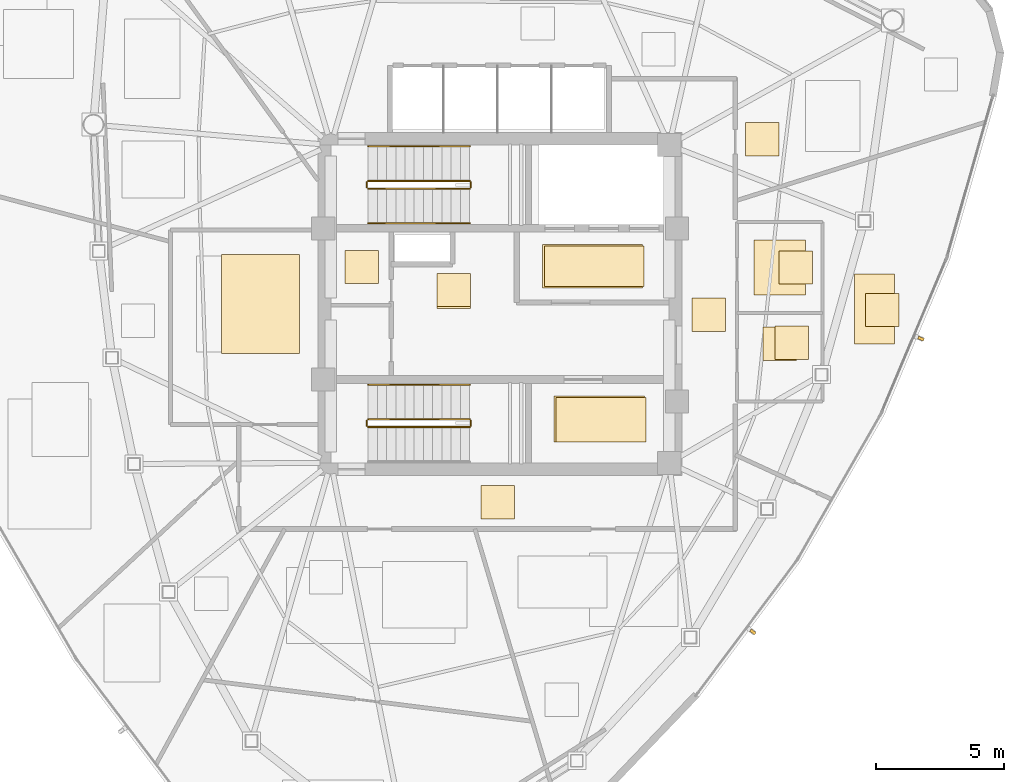
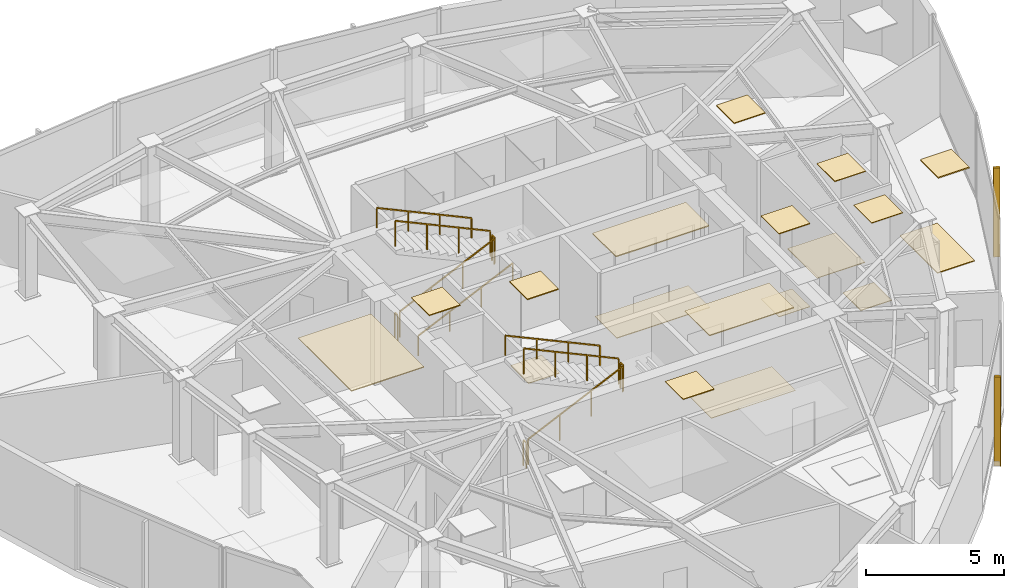
# One storey, part 11 of 12: 18 coverings, 11 railings, 2 shading devices.
"""IFC4 building model written with IfcOpenShell, lengths in metres."""

import ifcopenshell
import ifcopenshell.guid

model = None  # the IFC model being written
_history = None  # IfcOwnerHistory: only IFC2X3 demands one
_inside = {}  # id of a spatial element -> (the spatial element, [elements in it])
_under = {}  # id of a project, library or spatial element -> (it, [spatial elements below it])
_declared = {}  # id of a project -> (the project, [libraries it declares])
_typed = {}  # id of a type object -> (the type object, [elements of that type])
_made_of = {}  # id of a material, layer set ... -> (it, [elements and type objects made of it])


def new_model(schema):
    """Start an empty IFC model of exactly this schema.

    Asked for "IFC4X3", IfcOpenShell would pick the latest addendum, in which some entities
    have other attributes; the version numbers below select the first issue.
    IFC2X3 requires an IfcOwnerHistory on every rooted entity: one is made here for all.
    """
    global model, _history
    if schema == "IFC4X3":
        model = ifcopenshell.file(schema_version=(4, 3, 0, 0))
    else:
        model = ifcopenshell.file(schema=schema)
    _inside.clear()
    _under.clear()
    _declared.clear()
    _typed.clear()
    _made_of.clear()
    _history = None
    if model.schema == "IFC2X3":
        org = make("IfcOrganization", Name="unknown")
        user = make(
            "IfcPersonAndOrganization",
            ThePerson=make("IfcPerson", FamilyName="unknown"),
            TheOrganization=org,
        )
        app = make(
            "IfcApplication",
            ApplicationDeveloper=org,
            Version="unknown",
            ApplicationFullName="unknown",
            ApplicationIdentifier="unknown",
        )
        _history = make(
            "IfcOwnerHistory",
            OwningUser=user,
            OwningApplication=app,
            ChangeAction="ADDED",
            CreationDate=0,
        )
    return model


def make(cls, **values):
    """One entity of the class cls with the attributes given. An attribute that is None is left unset."""
    return model.create_entity(
        cls, **{name: value for name, value in values.items() if value is not None}
    )


def rooted(cls, **values):
    """An entity with a GlobalId (a new one), such as an element, a storey or a relation."""
    return make(cls, GlobalId=ifcopenshell.guid.new(), OwnerHistory=_history, **values)


def si_unit(unit_type, name, prefix=None):
    """IfcSIUnit, for example si_unit("LENGTHUNIT", "METRE", prefix="MILLI")."""
    return make("IfcSIUnit", UnitType=unit_type, Prefix=prefix, Name=name)


def assignment(units):
    """IfcUnitAssignment: the units of a project."""
    return None if units is None else make("IfcUnitAssignment", Units=units)


def point(xyz):
    """IfcCartesianPoint."""
    return None if xyz is None else make("IfcCartesianPoint", Coordinates=xyz)


def direction(xyz):
    """IfcDirection."""
    return None if xyz is None else make("IfcDirection", DirectionRatios=xyz)


def frame(location, z_axis=None, x_axis=None):
    """IfcAxis2Placement3D, a coordinate frame: its origin and axes. An axis left out is left unset."""
    return make(
        "IfcAxis2Placement3D",
        Location=point(location),
        Axis=direction(z_axis),
        RefDirection=direction(x_axis),
    )


def frame_2d(location, x_axis=None):
    """IfcAxis2Placement2D, a coordinate frame in the plane: its origin and x axis."""
    return make(
        "IfcAxis2Placement2D", Location=point(location), RefDirection=direction(x_axis)
    )


def origin():
    """The frame at (0, 0, 0) with its axes left unset."""
    return frame((0.0, 0.0, 0.0))


def origin_2d():
    """The frame at (0, 0) in the plane with its x axis left unset."""
    return frame_2d((0.0, 0.0))


def place(relative_to, where):
    """IfcLocalPlacement: puts the frame where relative to a parent placement (None: the world)."""
    return make(
        "IfcLocalPlacement", PlacementRelTo=relative_to, RelativePlacement=where
    )


def context(
    kind, dimensions, precision=None, world=None, true_north=None, identifier=None
):
    """IfcGeometricRepresentationContext, for example the 3D "Model" context."""
    return make(
        "IfcGeometricRepresentationContext",
        ContextIdentifier=identifier,
        ContextType=kind,
        CoordinateSpaceDimension=dimensions,
        Precision=precision,
        WorldCoordinateSystem=world,
        TrueNorth=true_north,
    )


def subcontext(parent, identifier, kind, view, scale=None):
    """IfcGeometricRepresentationSubContext, for example "Body" below "Model"."""
    return make(
        "IfcGeometricRepresentationSubContext",
        ContextIdentifier=identifier,
        ContextType=kind,
        ParentContext=parent,
        TargetScale=scale,
        TargetView=view,
    )


def project(units=None, contexts=None):
    """IfcProject with its units and contexts."""
    return rooted(
        "IfcProject",
        Name="project",
        RepresentationContexts=contexts,
        UnitsInContext=assignment(units),
    )


def spatial(cls, under=None, at=None, **own):
    """A site, building, storey or space (cls), placed at a placement, below another one or the project."""
    s = rooted(cls, ObjectPlacement=at, **own)
    if under is not None:
        _under.setdefault(under.id(), (under, []))[1].append(s)
    return s


def polyline(points):
    """IfcPolyline through the points."""
    return make("IfcPolyline", Points=[point(p) for p in points])


def profile(cls, at=None, kind="AREA", **sizes):
    """A parametric profile (cls). Its sizes go by their IFC names, for example OverallWidth=200.0."""
    return make(cls, ProfileType=kind, Position=at, **sizes)


def rectangle(**sizes):
    """IfcRectangleProfileDef."""
    return profile("IfcRectangleProfileDef", **sizes)


def outline(outer, holes=None, kind="AREA"):
    """IfcArbitraryClosedProfileDef: a profile drawn as a closed curve; with holes, ...WithVoids."""
    if holes is None:
        return make("IfcArbitraryClosedProfileDef", ProfileType=kind, OuterCurve=outer)
    return make(
        "IfcArbitraryProfileDefWithVoids",
        ProfileType=kind,
        OuterCurve=outer,
        InnerCurves=holes,
    )


def extrude(swept, where, along, depth):
    """IfcExtrudedAreaSolid: the profile swept, set in the frame where, extruded along a direction by depth."""
    return make(
        "IfcExtrudedAreaSolid",
        SweptArea=swept,
        Position=where,
        ExtrudedDirection=direction(along),
        Depth=depth,
    )


def shape(context_of_items, identifier, shape_type, items):
    """IfcShapeRepresentation: the items that make up one representation, for example the "Body"."""
    return make(
        "IfcShapeRepresentation",
        ContextOfItems=context_of_items,
        RepresentationIdentifier=identifier,
        RepresentationType=shape_type,
        Items=items,
    )


def source(mapping_origin, context_of_items, identifier, shape_type, items):
    """IfcRepresentationMap: a shape defined once, which mapped items show again and again."""
    return make(
        "IfcRepresentationMap",
        MappingOrigin=mapping_origin,
        MappedRepresentation=shape(context_of_items, identifier, shape_type, items),
    )


def transform(
    local_origin,
    x_axis=None,
    y_axis=None,
    z_axis=None,
    scale=None,
    scale2=None,
    scale3=None,
    uniform=True,
):
    """IfcCartesianTransformationOperator3D, or its non-uniform kind. x_axis, y_axis, z_axis: its Axis1, 2, 3."""
    if uniform:
        return make(
            "IfcCartesianTransformationOperator3D",
            Axis1=direction(x_axis),
            Axis2=direction(y_axis),
            LocalOrigin=point(local_origin),
            Scale=scale,
            Axis3=direction(z_axis),
        )
    return make(
        "IfcCartesianTransformationOperator3DnonUniform",
        Axis1=direction(x_axis),
        Axis2=direction(y_axis),
        LocalOrigin=point(local_origin),
        Scale=scale,
        Axis3=direction(z_axis),
        Scale2=scale2,
        Scale3=scale3,
    )


def mapped(mapping_source, mapping_target):
    """IfcMappedItem: shows the shape of a source again, moved by a transform."""
    return make(
        "IfcMappedItem", MappingSource=mapping_source, MappingTarget=mapping_target
    )


def material(Name=None, Category=None):
    """IfcMaterial."""
    return make("IfcMaterial", Name=Name, Category=Category)


def layer(
    of_material, thickness, ventilated=None, Name=None, Category=None, Priority=None
):
    """IfcMaterialLayer: one layer of a wall or slab, of a material (None: an air gap)."""
    return make(
        "IfcMaterialLayer",
        Material=of_material,
        LayerThickness=thickness,
        IsVentilated=ventilated,
        Name=Name,
        Category=Category,
        Priority=Priority,
    )


def layer_set(layers, Name=None):
    """IfcMaterialLayerSet."""
    return make("IfcMaterialLayerSet", MaterialLayers=layers, LayerSetName=Name)


def made_of(thing, what):
    """Note that an element or type object is made of a material, layer set ...; save() writes the relation."""
    if what is not None:
        _made_of.setdefault(what.id(), (what, []))[1].append(thing)
    return thing


def type_object(cls, material=None, **own):
    """A type object (cls), such as IfcWallType, which elements share."""
    return made_of(rooted(cls, **own), material)


def type_shapes(of_type, sources):
    """Give a type object the sources (RepresentationMaps) that its elements show as mapped items."""
    of_type.RepresentationMaps = sources


def element(
    cls,
    number,
    at=None,
    inside=None,
    cuts=None,
    type_object=None,
    material=None,
    context=None,
    identifier="Body",
    shape_type=None,
    held_by="IfcProductDefinitionShape",
    body=None,
    shapes=None,
    **own,
):
    """One element of the class cls, such as IfcWall. Its Tag is "e" and its number.

    at: its placement. inside: the storey or other place that contains it. cuts: it is an
    opening in that element (IfcRelVoidsElement). A single representation is given by context,
    identifier, shape_type and body (its items); several are given by shapes. held_by: the class
    of the entity that holds the representations. save() writes the other relations.
    """
    e = rooted(cls, Tag="e%d" % number, ObjectPlacement=at, **own)
    if body is not None:
        shapes = [shape(context, identifier, shape_type, body)]
    if shapes is not None:
        e.Representation = make(held_by, Representations=shapes)
    if inside is not None:
        _inside.setdefault(inside.id(), (inside, []))[1].append(e)
    if cuts is not None:
        rooted(
            "IfcRelVoidsElement", RelatingBuildingElement=cuts, RelatedOpeningElement=e
        )
    if type_object is not None:
        _typed.setdefault(type_object.id(), (type_object, []))[1].append(e)
    return made_of(e, material)


def aggregate(whole, parts):
    """IfcRelAggregates: a whole, such as a stair, and the parts it consists of."""
    return rooted("IfcRelAggregates", RelatingObject=whole, RelatedObjects=parts)


def save(model, path):
    """Write the relations noted so far, then the file.

    IfcRelAggregates (storeys below a building ...), IfcRelContainedInSpatialStructure (elements
    in a storey), IfcRelDefinesByType, IfcRelAssociatesMaterial and IfcRelDeclares: one each for
    every whole, place, type object, material and project.
    """
    for whole, parts in _under.values():
        aggregate(whole, parts)
    for where, things in _inside.values():
        rooted(
            "IfcRelContainedInSpatialStructure",
            RelatedElements=things,
            RelatingStructure=where,
        )
    for kind, things in _typed.values():
        rooted("IfcRelDefinesByType", RelatedObjects=things, RelatingType=kind)
    for what, things in _made_of.values():
        rooted("IfcRelAssociatesMaterial", RelatedObjects=things, RelatingMaterial=what)
    for by, libraries in _declared.values():
        rooted("IfcRelDeclares", RelatingContext=by, RelatedDefinitions=libraries)
    model.write(path)


model = new_model("IFC4")

# Units and contexts
model_context = context("Model", 3, precision=1e-05, world=origin(), true_north=direction((0.0, 1.0)))
body_context = subcontext(model_context, "Body", "Model", "MODEL_VIEW")
ifc_project = project(units=[si_unit("LENGTHUNIT", "METRE"), si_unit("AREAUNIT", "SQUARE_METRE"), si_unit("VOLUMEUNIT", "CUBIC_METRE"), si_unit("PLANEANGLEUNIT", "RADIAN"), si_unit("MASSUNIT", "GRAM", prefix="KILO")], contexts=[model_context])

# Site, building, storey
site_placement = place(None, origin())
site = spatial("IfcSite", under=ifc_project, at=site_placement, CompositionType="ELEMENT")
building_placement = place(site_placement, origin())
building = spatial("IfcBuilding", under=site, at=building_placement, Name="Tavelor Broadcast Tower", CompositionType="ELEMENT")
storey_placement = place(building_placement, frame((0.0, 0.0, 281.5)))
storey = spatial("IfcBuildingStorey", under=building, at=storey_placement, Name="L67", CompositionType="ELEMENT", Elevation=281.5)

# Coverings
ifc_material_1 = material(Name="Copper-Bronze Anodized Aluminium", Category="aluminium")
ifc_layer_1 = layer(ifc_material_1, 0.044921875)
ifc_layer_set_1 = layer_set([ifc_layer_1], Name="Copper-Bronze Anodized Aluminium")
covering_type_1 = type_object("IfcCoveringType", Name="Anodised Bronze Linear Slatted Concourse Ceiling 45 mm", PredefinedType="CEILING", material=ifc_layer_set_1)
covering_1_placement = place(storey_placement, frame((0.0, 0.0, 3.655029296875)))
element("IfcCovering", 1, at=covering_1_placement, inside=storey, type_object=covering_type_1, Name="L67 Suspended Acoustic Ceiling 2568", PredefinedType="CEILING", context=body_context, shape_type="SweptSolid", body=[
    extrude(outline(polyline([(51.659912109375, 45.6318359375), (55.55712890625, 45.6318359375), (55.55712890625, 47.328125), (51.659912109375, 47.328125), (51.659912109375, 45.6318359375)])), origin(), (0.0, 0.0, 1.0), 0.044921875),
])
covering_2_placement = place(storey_placement, frame((0.0, 0.0, 3.655029296875)))
element("IfcCovering", 2, at=covering_2_placement, inside=storey, type_object=covering_type_1, Name="L67 Suspended Acoustic Ceiling 2570", PredefinedType="CEILING", context=body_context, shape_type="SweptSolid", body=[
    extrude(outline(polyline([(47.5400390625, 44.89794921875), (48.840087890625, 44.89794921875), (48.840087890625, 46.197998046875), (47.5400390625, 46.197998046875), (47.5400390625, 44.89794921875)])), origin(), (0.0, 0.0, 1.0), 0.044921875),
])

# Railings
ifc_material_2 = material(Name="Steel S355", Category="steel")
railing_type_1 = type_object("IfcRailingType", Name="Continuous Brushed Stainless Handrail 900 mm", PredefinedType="HANDRAIL", material=ifc_material_2)
railing_1_placement = place(storey_placement, frame((44.85009765625, 48.14990234375, 0.166748046875)))
element("IfcRailing", 3, at=railing_1_placement, inside=storey, type_object=railing_type_1, Name="L67 ST1 stair handrail 1", PredefinedType="HANDRAIL", context=body_context, shape_type="SweptSolid", body=[
    extrude(rectangle(XDim=0.048095703125, YDim=0.048095703125, at=origin_2d()), frame((0.0, 0.0, 0.8759765625), z_axis=(0.907472437036, 0.0, 0.420111623286), x_axis=(0.0, 1.0, 0.0)), (0.0, 0.0, 1.0), 4.36376953125),
    extrude(rectangle(XDim=0.0419921875, YDim=0.0419921875, at=origin_2d()), origin(), (0.0, 0.0, 1.0), 0.851806640625),
    extrude(rectangle(XDim=0.0419921875, YDim=0.0419921875, at=origin_2d()), frame((1.320068359375, 0.0, 0.611083984375)), (0.0, 0.0, 1.0), 0.851806640625),
    extrude(rectangle(XDim=0.0419921875, YDim=0.0419921875, at=origin_2d()), frame((2.639892578125, 0.0, 1.22216796875)), (0.0, 0.0, 1.0), 0.851806640625),
    extrude(rectangle(XDim=0.0419921875, YDim=0.0419921875, at=origin_2d()), frame((3.9599609375, 0.0, 1.833251953125)), (0.0, 0.0, 1.0), 0.851806640625),
])
for number, where, name in (
    (4, (48.81005859375, 51.14990234375, 2.166748046875), "L67 ST1 stair handrail 2"),
    (5, (48.81005859375, 41.85009765625, 2.166748046875), "L67 ST2 stair handrail 2"),
):
    element("IfcRailing", number, at=place(storey_placement, frame(where)), inside=storey, type_object=railing_type_1, Name=name, PredefinedType="HANDRAIL", context=body_context, shape_type="SweptSolid", body=[
        extrude(rectangle(XDim=0.048095703125, YDim=0.048095703125, at=origin_2d()), frame((0.0, 0.0, 0.8759765625), z_axis=(-0.907472437036, 0.0, 0.420111623286), x_axis=(0.0, -1.0, 0.0)), (0.0, 0.0, 1.0), 4.36376953125),
        extrude(rectangle(XDim=0.0419921875, YDim=0.0419921875, at=origin_2d()), origin(), (0.0, 0.0, 1.0), 0.851806640625),
        extrude(rectangle(XDim=0.0419921875, YDim=0.0419921875, at=origin_2d()), frame((-1.320068359375, 0.0, 0.611083984375)), (0.0, 0.0, 1.0), 0.851806640625),
        extrude(rectangle(XDim=0.0419921875, YDim=0.0419921875, at=origin_2d()), frame((-2.639892578125, 0.0, 1.22216796875)), (0.0, 0.0, 1.0), 0.851806640625),
        extrude(rectangle(XDim=0.0419921875, YDim=0.0419921875, at=origin_2d()), frame((-3.9599609375, 0.0, 1.833251953125)), (0.0, 0.0, 1.0), 0.851806640625),
    ])

# Coverings
ifc_material_3 = material(Name="Architectural Anodized Aluminium", Category="aluminium")
ifc_layer_2 = layer(ifc_material_3, 0.034912109375)
ifc_layer_set_2 = layer_set([ifc_layer_2], Name="Architectural Anodized Aluminium")
covering_type_2 = type_object("IfcCoveringType", Name="Demountable Metal Tile Corridor Ceiling 35 mm", PredefinedType="CEILING", material=ifc_layer_set_2)
covering_3_placement = place(storey_placement, frame((0.0, 0.0, 3.6650390625)))
element("IfcCovering", 6, at=covering_3_placement, inside=storey, type_object=covering_type_2, Name="L67 Suspended Acoustic Ceiling 2572", PredefinedType="CEILING", context=body_context, shape_type="SweptSolid", body=[
    extrude(outline(polyline([(57.489990234375, 43.925048828125), (58.7900390625, 43.925048828125), (58.7900390625, 45.22509765625), (57.489990234375, 45.22509765625), (57.489990234375, 43.925048828125)])), origin(), (0.0, 0.0, 1.0), 0.034912109375),
])
covering_4_placement = place(storey_placement, frame((0.0, 0.0, 3.6650390625)))
element("IfcCovering", 7, at=covering_4_placement, inside=storey, type_object=covering_type_2, Name="L67 Suspended Acoustic Ceiling 2573", PredefinedType="CEILING", context=body_context, shape_type="SweptSolid", body=[
    extrude(outline(polyline([(49.261474609375, 36.610107421875), (50.5615234375, 36.610107421875), (50.5615234375, 37.909912109375), (49.261474609375, 37.909912109375), (49.261474609375, 36.610107421875)])), origin(), (0.0, 0.0, 1.0), 0.034912109375),
])
ifc_material_4 = material(Name="Acoustic Nylon Carpet Tile")
ifc_layer_3 = layer(ifc_material_4, 0.02001953125)
ifc_layer_set_3 = layer_set([ifc_layer_3], Name="Acoustic Nylon Carpet Tile")
covering_type_3 = type_object("IfcCoveringType", Name="Heavy-Duty Acoustic Broadcast Carpet Tile 20 mm", PredefinedType="FLOORING", material=ifc_layer_set_3)
covering_5_placement = place(storey_placement, origin())
element("IfcCovering", 8, at=covering_5_placement, inside=storey, type_object=covering_type_3, Name="L67 Broadcast Floor Finish 0996", PredefinedType="FLOORING", context=body_context, shape_type="SweptSolid", body=[
    extrude(outline(polyline([(52.176025390625, 39.611328125), (55.694091796875, 39.611328125), (55.694091796875, 41.341552734375), (52.176025390625, 41.341552734375), (52.176025390625, 39.611328125)])), origin(), (0.0, 0.0, 1.0), 0.02001953125),
])
covering_6_placement = place(storey_placement, origin())
element("IfcCovering", 9, at=covering_6_placement, inside=storey, type_object=covering_type_3, Name="L67 Broadcast Floor Finish 0998", PredefinedType="FLOORING", context=body_context, shape_type="SweptSolid", body=[
    extrude(outline(polyline([(57.489990234375, 43.925048828125), (58.7900390625, 43.925048828125), (58.7900390625, 45.22509765625), (57.489990234375, 45.22509765625), (57.489990234375, 43.925048828125)])), origin(), (0.0, 0.0, 1.0), 0.02001953125),
])
ifc_material_5 = material(Name="Honed Natural Limestone Tile", Category="masonry")
ifc_layer_4 = layer(ifc_material_5, 0.030029296875)
ifc_layer_set_4 = layer_set([ifc_layer_4], Name="Honed Natural Limestone Tile")
covering_type_4 = type_object("IfcCoveringType", Name="Honed Jerusalem Limestone Concourse Flooring 30 mm", PredefinedType="FLOORING", material=ifc_layer_set_4)
covering_7_placement = place(storey_placement, origin())
element("IfcCovering", 10, at=covering_7_placement, inside=storey, type_object=covering_type_4, Name="L67 Broadcast Floor Finish 0995", PredefinedType="FLOORING", context=body_context, shape_type="SweptSolid", body=[
    extrude(outline(polyline([(51.7373046875, 45.689453125), (55.62255859375, 45.689453125), (55.62255859375, 47.2705078125), (51.7373046875, 47.2705078125), (51.7373046875, 45.689453125)])), origin(), (0.0, 0.0, 1.0), 0.030029296875),
])
covering_8_placement = place(storey_placement, origin())
element("IfcCovering", 11, at=covering_8_placement, inside=storey, type_object=covering_type_4, Name="L67 Broadcast Floor Finish 0997", PredefinedType="FLOORING", context=body_context, shape_type="SweptSolid", body=[
    extrude(outline(polyline([(47.5400390625, 44.818115234375), (48.840087890625, 44.818115234375), (48.840087890625, 46.117919921875), (47.5400390625, 46.117919921875), (47.5400390625, 44.818115234375)])), origin(), (0.0, 0.0, 1.0), 0.030029296875),
])
ifc_material_6 = material(Name="Acoustic Hardwood Studio Flooring", Category="wood")
ifc_layer_5 = layer(ifc_material_6, 0.034912109375)
ifc_layer_set_5 = layer_set([ifc_layer_5], Name="Acoustic Hardwood Studio Flooring")
covering_type_5 = type_object("IfcCoveringType", Name="Isolated Studio Acoustic Elastomeric Floor Finish 35 mm", PredefinedType="FLOORING", material=ifc_layer_set_5)
covering_9_placement = place(storey_placement, origin())
element("IfcCovering", 12, at=covering_9_placement, inside=storey, type_object=covering_type_5, Name="L67 Broadcast Floor Finish 1002", PredefinedType="FLOORING", context=body_context, shape_type="SweptSolid", body=[
    extrude(outline(polyline([(63.838134765625, 43.44580078125), (65.395751953125, 43.44580078125), (65.395751953125, 46.173095703125), (63.838134765625, 46.173095703125), (63.838134765625, 43.44580078125)])), origin(), (0.0, 0.0, 1.0), 0.034912109375),
])
ifc_material_7 = material(Name="Acoustic Perforated Timber Baffle", Category="wood")
ifc_layer_6 = layer(ifc_material_7, 0.054931640625)
ifc_layer_set_6 = layer_set([ifc_layer_6], Name="Acoustic Perforated Timber Baffle")
covering_type_6 = type_object("IfcCoveringType", Name="Micro-Perforated Acoustic Baffle Studio Ceiling 55 mm", PredefinedType="CEILING", material=ifc_layer_set_6)
covering_10_placement = place(storey_placement, frame((0.0, 0.0, 3.64501953125)))
element("IfcCovering", 13, at=covering_10_placement, inside=storey, type_object=covering_type_6, Name="L67 Suspended Acoustic Ceiling 2577", PredefinedType="CEILING", context=body_context, shape_type="SweptSolid", body=[
    extrude(outline(polyline([(64.25830078125, 44.11767578125), (65.558349609375, 44.11767578125), (65.558349609375, 45.41748046875), (64.25830078125, 45.41748046875), (64.25830078125, 44.11767578125)])), origin(), (0.0, 0.0, 1.0), 0.054931640625),
])
ifc_layer_7 = layer(ifc_material_3, 0.030029296875)
ifc_layer_set_7 = layer_set([ifc_layer_7], Name="Architectural Anodized Aluminium")
covering_type_7 = type_object("IfcCoveringType", Name="Moisture-Resistant Washroom Ceiling 30 mm", PredefinedType="CEILING", material=ifc_layer_set_7)
covering_11_placement = place(storey_placement, frame((0.0, 0.0, 3.669921875)))
element("IfcCovering", 14, at=covering_11_placement, inside=storey, type_object=covering_type_7, Name="L67 Suspended Acoustic Ceiling 2575", PredefinedType="CEILING", context=body_context, shape_type="SweptSolid", body=[
    extrude(outline(polyline([(60.73388671875, 42.831787109375), (62.03369140625, 42.831787109375), (62.03369140625, 44.131591796875), (60.73388671875, 44.131591796875), (60.73388671875, 42.831787109375)])), origin(), (0.0, 0.0, 1.0), 0.030029296875),
])
covering_12_placement = place(storey_placement, frame((0.0, 0.0, 3.669921875)))
element("IfcCovering", 15, at=covering_12_placement, inside=storey, type_object=covering_type_7, Name="L67 Suspended Acoustic Ceiling 2576", PredefinedType="CEILING", context=body_context, shape_type="SweptSolid", body=[
    extrude(outline(polyline([(60.8916015625, 45.77490234375), (62.19140625, 45.77490234375), (62.19140625, 47.074951171875), (60.8916015625, 47.074951171875), (60.8916015625, 45.77490234375)])), origin(), (0.0, 0.0, 1.0), 0.030029296875),
])
ifc_material_8 = material(Name="Slip-Resistant Porcelain Tile")
ifc_layer_8 = layer(ifc_material_8, 0.02490234375)
ifc_layer_set_8 = layer_set([ifc_layer_8], Name="Slip-Resistant Porcelain Tile")
covering_type_8 = type_object("IfcCoveringType", Name="Slip-Resistant Porcelain Wet-Area Floor Tile 25 mm", PredefinedType="FLOORING", material=ifc_layer_set_8)
covering_13_placement = place(storey_placement, origin())
element("IfcCovering", 16, at=covering_13_placement, inside=storey, type_object=covering_type_8, Name="L67 Broadcast Floor Finish 1000", PredefinedType="FLOORING", context=body_context, shape_type="SweptSolid", body=[
    extrude(outline(polyline([(60.260009765625, 42.791748046875), (61.56005859375, 42.791748046875), (61.56005859375, 44.091796875), (60.260009765625, 44.091796875), (60.260009765625, 42.791748046875)])), origin(), (0.0, 0.0, 1.0), 0.02490234375),
])
covering_14_placement = place(storey_placement, origin())
element("IfcCovering", 17, at=covering_14_placement, inside=storey, type_object=covering_type_8, Name="L67 Broadcast Floor Finish 1001", PredefinedType="FLOORING", context=body_context, shape_type="SweptSolid", body=[
    extrude(outline(polyline([(59.91064453125, 45.35009765625), (61.909423828125, 45.35009765625), (61.909423828125, 47.5), (59.91064453125, 47.5), (59.91064453125, 45.35009765625)])), origin(), (0.0, 0.0, 1.0), 0.02490234375),
])

# Railings
railing_type_2 = type_object("IfcRailingType", Name="Stairwell Steel Safety Guardrail 1150 mm", PredefinedType="GUARDRAIL", material=ifc_material_2)
railing_2_placement = place(storey_placement, frame((44.85009765625, 49.5, 0.166748046875)))
element("IfcRailing", 18, at=railing_2_placement, inside=storey, type_object=railing_type_2, Name="L67 ST1 stair guard 1", PredefinedType="GUARDRAIL", context=body_context, shape_type="SweptSolid", body=[
    extrude(rectangle(XDim=0.048095703125, YDim=0.048095703125, at=origin_2d()), frame((0.0, 0.0, 1.1259765625), z_axis=(0.907472437036, 0.0, 0.420111623286), x_axis=(0.0, 1.0, 0.0)), (0.0, 0.0, 1.0), 4.36376953125),
    extrude(rectangle(XDim=0.0419921875, YDim=0.0419921875, at=origin_2d()), origin(), (0.0, 0.0, 1.0), 1.101806640625),
    extrude(rectangle(XDim=0.0419921875, YDim=0.0419921875, at=origin_2d()), frame((1.320068359375, 0.0, 0.611083984375)), (0.0, 0.0, 1.0), 1.101806640625),
    extrude(rectangle(XDim=0.0419921875, YDim=0.0419921875, at=origin_2d()), frame((2.639892578125, 0.0, 1.22216796875)), (0.0, 0.0, 1.0), 1.101806640625),
    extrude(rectangle(XDim=0.0419921875, YDim=0.0419921875, at=origin_2d()), frame((3.9599609375, 0.0, 1.833251953125)), (0.0, 0.0, 1.0), 1.101806640625),
])
railing_3_placement = place(storey_placement, frame((48.860107421875, 49.550048828125, 2.0)))
element("IfcRailing", 19, at=railing_3_placement, inside=storey, type_object=railing_type_2, Name="L67 ST1 stair guard 2", PredefinedType="GUARDRAIL", context=body_context, shape_type="SweptSolid", body=[
    extrude(rectangle(XDim=0.048095703125, YDim=0.048095703125, at=origin_2d()), frame((0.0, 0.0, 1.1259765625), z_axis=(0.0, 1.0, 0.0), x_axis=(-1.0, 0.0, 0.0)), (0.0, 0.0, 1.0), 0.199951171875),
    extrude(rectangle(XDim=0.0419921875, YDim=0.0419921875, at=origin_2d()), origin(), (0.0, 0.0, 1.0), 1.101806640625),
    extrude(rectangle(XDim=0.0419921875, YDim=0.0419921875, at=origin_2d()), frame((0.0, 0.199951171875, 0.0)), (0.0, 0.0, 1.0), 1.101806640625),
])
railing_4_placement = place(storey_placement, frame((48.81005859375, 49.800048828125, 2.166748046875)))
element("IfcRailing", 20, at=railing_4_placement, inside=storey, type_object=railing_type_2, Name="L67 ST1 stair guard 3", PredefinedType="GUARDRAIL", context=body_context, shape_type="SweptSolid", body=[
    extrude(rectangle(XDim=0.048095703125, YDim=0.048095703125, at=origin_2d()), frame((0.0, 0.0, 1.1259765625), z_axis=(-0.907472437036, 0.0, 0.420111623286), x_axis=(0.0, -1.0, 0.0)), (0.0, 0.0, 1.0), 4.36376953125),
    extrude(rectangle(XDim=0.0419921875, YDim=0.0419921875, at=origin_2d()), origin(), (0.0, 0.0, 1.0), 1.101806640625),
    extrude(rectangle(XDim=0.0419921875, YDim=0.0419921875, at=origin_2d()), frame((-1.320068359375, 0.0, 0.611083984375)), (0.0, 0.0, 1.0), 1.101806640625),
    extrude(rectangle(XDim=0.0419921875, YDim=0.0419921875, at=origin_2d()), frame((-2.639892578125, 0.0, 1.22216796875)), (0.0, 0.0, 1.0), 1.101806640625),
    extrude(rectangle(XDim=0.0419921875, YDim=0.0419921875, at=origin_2d()), frame((-3.9599609375, 0.0, 1.833251953125)), (0.0, 0.0, 1.0), 1.101806640625),
])
railing_5_placement = place(storey_placement, frame((44.800048828125, 49.550048828125, 0.0)))
element("IfcRailing", 21, at=railing_5_placement, inside=storey, type_object=railing_type_2, Name="L67 ST1 stair guard 4", PredefinedType="GUARDRAIL", context=body_context, shape_type="SweptSolid", body=[
    extrude(rectangle(XDim=0.048095703125, YDim=0.048095703125, at=origin_2d()), frame((0.0, 0.0, 1.1259765625), z_axis=(0.0, 1.0, 0.0), x_axis=(-1.0, 0.0, 0.0)), (0.0, 0.0, 1.0), 0.199951171875),
    extrude(rectangle(XDim=0.0419921875, YDim=0.0419921875, at=origin_2d()), origin(), (0.0, 0.0, 1.0), 1.101806640625),
    extrude(rectangle(XDim=0.0419921875, YDim=0.0419921875, at=origin_2d()), frame((0.0, 0.199951171875, 0.0)), (0.0, 0.0, 1.0), 1.101806640625),
])
railing_6_placement = place(storey_placement, frame((44.85009765625, 40.199951171875, 0.166748046875)))
element("IfcRailing", 22, at=railing_6_placement, inside=storey, type_object=railing_type_2, Name="L67 ST2 stair guard 1", PredefinedType="GUARDRAIL", context=body_context, shape_type="SweptSolid", body=[
    extrude(rectangle(XDim=0.048095703125, YDim=0.048095703125, at=origin_2d()), frame((0.0, 0.0, 1.1259765625), z_axis=(0.907472437036, 0.0, 0.420111623286), x_axis=(0.0, 1.0, 0.0)), (0.0, 0.0, 1.0), 4.36376953125),
    extrude(rectangle(XDim=0.0419921875, YDim=0.0419921875, at=origin_2d()), origin(), (0.0, 0.0, 1.0), 1.101806640625),
    extrude(rectangle(XDim=0.0419921875, YDim=0.0419921875, at=origin_2d()), frame((1.320068359375, 0.0, 0.611083984375)), (0.0, 0.0, 1.0), 1.101806640625),
    extrude(rectangle(XDim=0.0419921875, YDim=0.0419921875, at=origin_2d()), frame((2.639892578125, 0.0, 1.22216796875)), (0.0, 0.0, 1.0), 1.101806640625),
    extrude(rectangle(XDim=0.0419921875, YDim=0.0419921875, at=origin_2d()), frame((3.9599609375, 0.0, 1.833251953125)), (0.0, 0.0, 1.0), 1.101806640625),
])
railing_7_placement = place(storey_placement, frame((48.860107421875, 40.25, 2.0)))
element("IfcRailing", 23, at=railing_7_placement, inside=storey, type_object=railing_type_2, Name="L67 ST2 stair guard 2", PredefinedType="GUARDRAIL", context=body_context, shape_type="SweptSolid", body=[
    extrude(rectangle(XDim=0.048095703125, YDim=0.048095703125, at=origin_2d()), frame((0.0, 0.0, 1.1259765625), z_axis=(0.0, 1.0, 0.0), x_axis=(-1.0, 0.0, 0.0)), (0.0, 0.0, 1.0), 0.199951171875),
    extrude(rectangle(XDim=0.0419921875, YDim=0.0419921875, at=origin_2d()), origin(), (0.0, 0.0, 1.0), 1.101806640625),
    extrude(rectangle(XDim=0.0419921875, YDim=0.0419921875, at=origin_2d()), frame((0.0, 0.199951171875, 0.0)), (0.0, 0.0, 1.0), 1.101806640625),
])
railing_8_placement = place(storey_placement, frame((48.81005859375, 40.5, 2.166748046875)))
element("IfcRailing", 24, at=railing_8_placement, inside=storey, type_object=railing_type_2, Name="L67 ST2 stair guard 3", PredefinedType="GUARDRAIL", context=body_context, shape_type="SweptSolid", body=[
    extrude(rectangle(XDim=0.048095703125, YDim=0.048095703125, at=origin_2d()), frame((0.0, 0.0, 1.1259765625), z_axis=(-0.907472437036, 0.0, 0.420111623286), x_axis=(0.0, -1.0, 0.0)), (0.0, 0.0, 1.0), 4.36376953125),
    extrude(rectangle(XDim=0.0419921875, YDim=0.0419921875, at=origin_2d()), origin(), (0.0, 0.0, 1.0), 1.101806640625),
    extrude(rectangle(XDim=0.0419921875, YDim=0.0419921875, at=origin_2d()), frame((-1.320068359375, 0.0, 0.611083984375)), (0.0, 0.0, 1.0), 1.101806640625),
    extrude(rectangle(XDim=0.0419921875, YDim=0.0419921875, at=origin_2d()), frame((-2.639892578125, 0.0, 1.22216796875)), (0.0, 0.0, 1.0), 1.101806640625),
    extrude(rectangle(XDim=0.0419921875, YDim=0.0419921875, at=origin_2d()), frame((-3.9599609375, 0.0, 1.833251953125)), (0.0, 0.0, 1.0), 1.101806640625),
])
railing_9_placement = place(storey_placement, frame((44.800048828125, 40.25, 0.0)))
element("IfcRailing", 25, at=railing_9_placement, inside=storey, type_object=railing_type_2, Name="L67 ST2 stair guard 4", PredefinedType="GUARDRAIL", context=body_context, shape_type="SweptSolid", body=[
    extrude(rectangle(XDim=0.048095703125, YDim=0.048095703125, at=origin_2d()), frame((0.0, 0.0, 1.1259765625), z_axis=(0.0, 1.0, 0.0), x_axis=(-1.0, 0.0, 0.0)), (0.0, 0.0, 1.0), 0.199951171875),
    extrude(rectangle(XDim=0.0419921875, YDim=0.0419921875, at=origin_2d()), origin(), (0.0, 0.0, 1.0), 1.101806640625),
    extrude(rectangle(XDim=0.0419921875, YDim=0.0419921875, at=origin_2d()), frame((0.0, 0.199951171875, 0.0)), (0.0, 0.0, 1.0), 1.101806640625),
])

# Coverings
ifc_material_9 = material(Name="Acoustic Mineral Fibre Tile")
ifc_layer_9 = layer(ifc_material_9, 0.0400390625)
ifc_layer_set_9 = layer_set([ifc_layer_9], Name="Acoustic Mineral Fibre Tile")
covering_type_9 = type_object("IfcCoveringType", Name="Suspended Acoustic Mineral-Fibre Office Ceiling 40 mm", PredefinedType="CEILING", material=ifc_layer_set_9)
covering_15_placement = place(storey_placement, frame((0.0, 0.0, 3.659912109375)))
element("IfcCovering", 26, at=covering_15_placement, inside=storey, type_object=covering_type_9, Name="L67 Suspended Acoustic Ceiling 2569", PredefinedType="CEILING", context=body_context, shape_type="SweptSolid", body=[
    extrude(outline(polyline([(52.098388671875, 39.62255859375), (55.628662109375, 39.62255859375), (55.628662109375, 41.410400390625), (52.098388671875, 41.410400390625), (52.098388671875, 39.62255859375)])), origin(), (0.0, 0.0, 1.0), 0.0400390625),
])
covering_16_placement = place(storey_placement, frame((0.0, 0.0, 3.659912109375)))
element("IfcCovering", 27, at=covering_16_placement, inside=storey, type_object=covering_type_9, Name="L67 Suspended Acoustic Ceiling 2571", PredefinedType="CEILING", context=body_context, shape_type="SweptSolid", body=[
    extrude(outline(polyline([(43.951416015625, 45.794921875), (45.25146484375, 45.794921875), (45.25146484375, 47.094970703125), (43.951416015625, 47.094970703125), (43.951416015625, 45.794921875)])), origin(), (0.0, 0.0, 1.0), 0.0400390625),
])
covering_17_placement = place(storey_placement, frame((0.0, 0.0, 3.659912109375)))
element("IfcCovering", 28, at=covering_17_placement, inside=storey, type_object=covering_type_9, Name="L67 Suspended Acoustic Ceiling 2574", PredefinedType="CEILING", context=body_context, shape_type="SweptSolid", body=[
    extrude(outline(polyline([(39.130615234375, 43.0712890625), (42.16748046875, 43.0712890625), (42.16748046875, 46.927978515625), (39.130615234375, 46.927978515625), (39.130615234375, 43.0712890625)])), origin(), (0.0, 0.0, 1.0), 0.0400390625),
])
covering_18_placement = place(storey_placement, frame((0.0, 0.0, 3.659912109375)))
element("IfcCovering", 29, at=covering_18_placement, inside=storey, type_object=covering_type_9, Name="L67 Suspended Acoustic Ceiling 2591", PredefinedType="CEILING", context=body_context, shape_type="SweptSolid", body=[
    extrude(outline(polyline([(59.5791015625, 50.781494140625), (60.879150390625, 50.781494140625), (60.879150390625, 52.081298828125), (59.5791015625, 52.081298828125), (59.5791015625, 50.781494140625)])), origin(), (0.0, 0.0, 1.0), 0.0400390625),
])

# Shading devices
ifc_material_10 = material(Name="Kiln-Fired Glazed Terracotta", Category="masonry")
shading_device_type = type_object("IfcShadingDeviceType", Name="Extruded Terracotta Baguette Sun-Screen 110x240", PredefinedType="JALOUSIE", material=ifc_material_10)
shared_shape = source(origin(), body_context, "Body", "SweptSolid", [
    extrude(rectangle(XDim=0.110107421875, YDim=0.239990234375, at=origin_2d()), origin(), (0.0, 0.0, 1.0), 3.93994140625),
])
type_shapes(shading_device_type, [shared_shape])
for number, where, z_axis, x_axis, name in (
    (30, (59.86328125, 32.204345703125, -0.260009765625), (0.0, 0.0, 1.0), (0.598604254456, 0.801044909195, 0.0), "L67 Terracotta Baguette Fin 675"),
    (31, (66.422607421875, 43.6455078125, -0.260009765625), (0.0, 0.0, 1.0), (0.388641565272, 0.921389024106, 0.0), "L67 Terracotta Baguette Fin 676"),
):
    element("IfcShadingDevice", number, at=place(storey_placement, frame(where, z_axis=z_axis, x_axis=x_axis)), inside=storey, type_object=shading_device_type, Name=name, PredefinedType="JALOUSIE", context=body_context, shape_type="MappedRepresentation", body=[
        mapped(shared_shape, transform((0.0, 0.0, 0.0), scale=1.0)),
    ])

save(model, "model.ifc")
